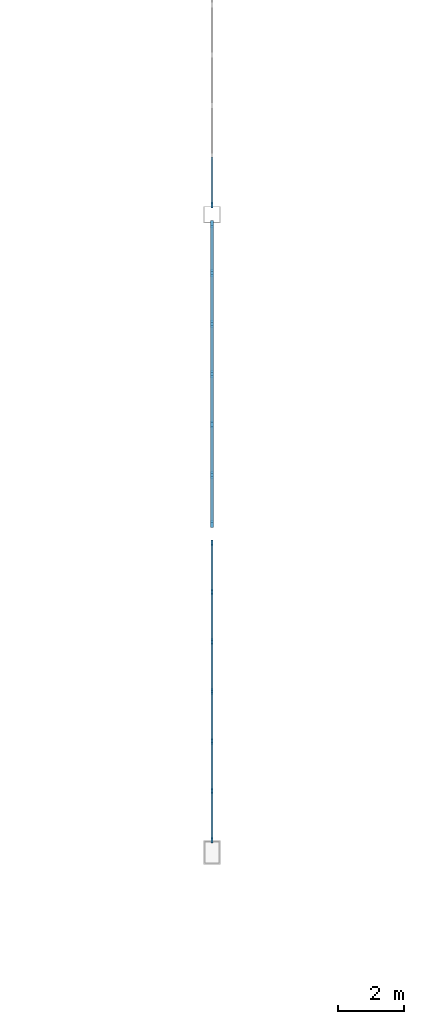
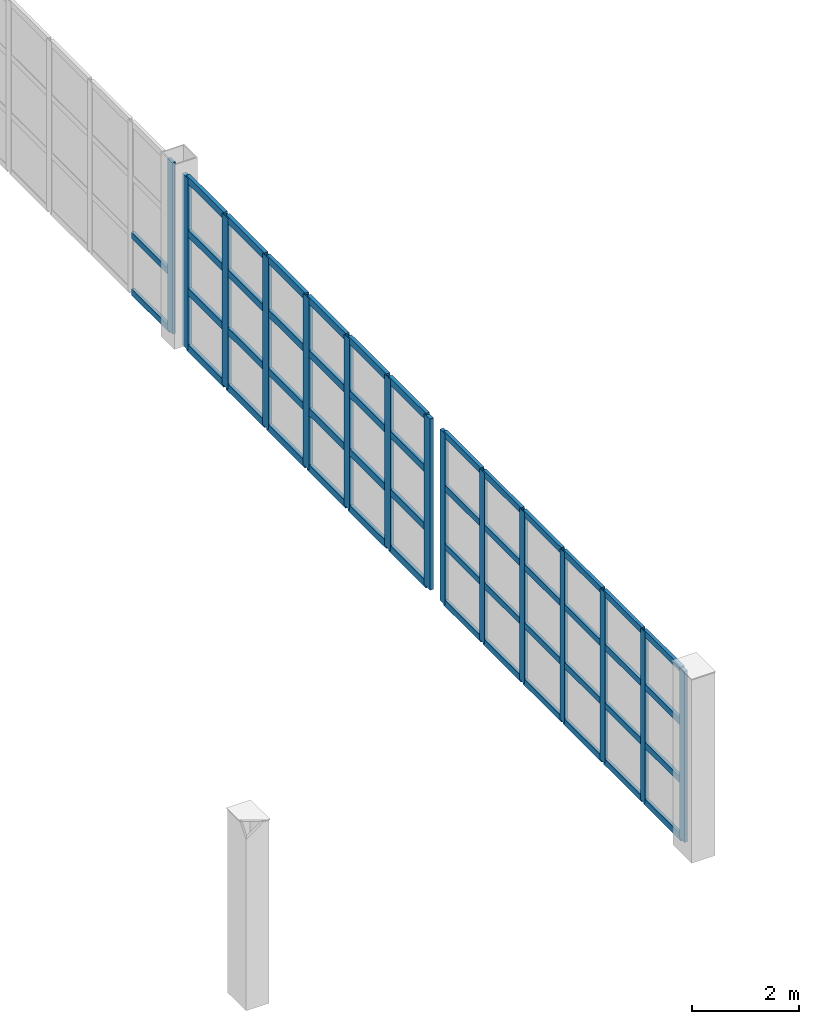
# One storey, part 35 of 82: 65 members, 3 elements without a shape of their own.
"""IFC4 building model written with IfcOpenShell, lengths in metres."""

from ifc_helpers import new_model, si_unit, direction, frame, origin, origin_2d, place, context, subcontext, project, spatial, rectangle, extrude, material, layer, layer_set, material_profile, profile_set, type_object, element, aggregate, save


model = new_model("IFC4")

# Units and contexts
model_context = context("Model", 3, precision=1e-05, world=origin(), true_north=direction((0.0, 1.0)))
body_context = subcontext(model_context, "Body", "Model", "MODEL_VIEW")
ifc_project = project(units=[si_unit("LENGTHUNIT", "METRE"), si_unit("AREAUNIT", "SQUARE_METRE"), si_unit("VOLUMEUNIT", "CUBIC_METRE"), si_unit("PLANEANGLEUNIT", "RADIAN"), si_unit("MASSUNIT", "GRAM", prefix="KILO")], contexts=[model_context])

# Site, building, storey
site_placement = place(None, origin())
site = spatial("IfcSite", under=ifc_project, at=site_placement, CompositionType="ELEMENT")
building_placement = place(site_placement, origin())
building = spatial("IfcBuilding", under=site, at=building_placement, Name="Zarnetskaya Central Station", CompositionType="ELEMENT")
storey_placement = place(building_placement, frame((0.0, 0.0, 10.199951171875)))
storey = spatial("IfcBuildingStorey", under=building, at=storey_placement, Name="L02", CompositionType="ELEMENT", Elevation=10.199951171875)

# Curtain wall, member
ifc_material_1 = material(Name="Low-E insulated glass", Category="glass")
ifc_layer = layer(ifc_material_1, 0.1640625, Name="Low-E insulated glass", Category="glass")
ifc_layer_set = layer_set([ifc_layer], Name="Low-E insulated glass")
curtain_wall_type = type_object("IfcCurtainWallType", Name="CW-SYS-12", PredefinedType="USERDEFINED", material=ifc_layer_set)
curtain_wall_1_placement = place(storey_placement, origin())
curtain_wall_1 = element("IfcCurtainWall", 1, at=curtain_wall_1_placement, inside=storey, type_object=curtain_wall_type, Name="Curtain wall CW-L02-179", ObjectType="CURTAIN WALL", PredefinedType="USERDEFINED")
ifc_material_2 = material(Name="Anodised aluminium", Category="aluminium")
ifc_material_profile_1 = material_profile(ifc_material_2, rectangle(XDim=0.070068359375, YDim=0.179931640625, at=origin_2d()), Name="ALU MULL 70x180")
ifc_profile_set_1 = profile_set([ifc_material_profile_1], Name="Anodised aluminium")
member_type_1 = type_object("IfcMemberType", Name="CW-MULL-180", PredefinedType="MULLION", material=ifc_profile_set_1)
member_1_placement = place(storey_placement, frame((124.800048828125, 86.68505859375, 0.0), z_axis=(0.0, 0.0, 1.0), x_axis=(1.0, 0.0, 0.0)))
member_1 = element("IfcMember", 2, at=member_1_placement, type_object=member_type_1, Name="CW-18 mullion 7", PredefinedType="MULLION", context=body_context, shape_type="SweptSolid", body=[
    extrude(rectangle(XDim=0.070068359375, YDim=0.179931640625, at=origin_2d()), origin(), (0.0, 0.0, 1.0), 3.900146484375),
])

# Curtain wall, members
curtain_wall_2_placement = place(storey_placement, origin())
curtain_wall_2 = element("IfcCurtainWall", 3, at=curtain_wall_2_placement, inside=storey, type_object=curtain_wall_type, Name="Curtain wall CW-L02-181", ObjectType="CURTAIN WALL", PredefinedType="USERDEFINED")
member_2_placement = place(storey_placement, frame((124.800048828125, 76.514892578125, 0.0), z_axis=(0.0, 0.0, 1.0), x_axis=(1.0, 0.0, 0.0)))
member_2 = element("IfcMember", 4, at=member_2_placement, type_object=member_type_1, Name="CW-18 mullion 1", PredefinedType="MULLION", context=body_context, shape_type="SweptSolid", body=[
    extrude(rectangle(XDim=0.070068359375, YDim=0.179931640625, at=origin_2d()), origin(), (0.0, 0.0, 1.0), 3.900146484375),
])
member_3_placement = place(storey_placement, frame((124.800048828125, 75.050048828125, 0.0), z_axis=(0.0, 0.0, 1.0), x_axis=(1.0, 0.0, 0.0)))
member_3 = element("IfcMember", 5, at=member_3_placement, type_object=member_type_1, Name="CW-18 mullion 2", PredefinedType="MULLION", context=body_context, shape_type="SweptSolid", body=[
    extrude(rectangle(XDim=0.070068359375, YDim=0.179931640625, at=origin_2d()), origin(), (0.0, 0.0, 1.0), 3.900146484375),
])
member_4_placement = place(storey_placement, frame((124.800048828125, 73.550048828125, 0.0), z_axis=(0.0, 0.0, 1.0), x_axis=(1.0, 0.0, 0.0)))
member_4 = element("IfcMember", 6, at=member_4_placement, type_object=member_type_1, Name="CW-18 mullion 3", PredefinedType="MULLION", context=body_context, shape_type="SweptSolid", body=[
    extrude(rectangle(XDim=0.070068359375, YDim=0.179931640625, at=origin_2d()), origin(), (0.0, 0.0, 1.0), 3.900146484375),
])
member_5_placement = place(storey_placement, frame((124.800048828125, 72.050048828125, 0.0), z_axis=(0.0, 0.0, 1.0), x_axis=(1.0, 0.0, 0.0)))
member_5 = element("IfcMember", 7, at=member_5_placement, type_object=member_type_1, Name="CW-18 mullion 4", PredefinedType="MULLION", context=body_context, shape_type="SweptSolid", body=[
    extrude(rectangle(XDim=0.070068359375, YDim=0.179931640625, at=origin_2d()), origin(), (0.0, 0.0, 1.0), 3.900146484375),
])
member_6_placement = place(storey_placement, frame((124.800048828125, 70.550048828125, 0.0), z_axis=(0.0, 0.0, 1.0), x_axis=(1.0, 0.0, 0.0)))
member_6 = element("IfcMember", 8, at=member_6_placement, type_object=member_type_1, Name="CW-18 mullion 5", PredefinedType="MULLION", context=body_context, shape_type="SweptSolid", body=[
    extrude(rectangle(XDim=0.070068359375, YDim=0.179931640625, at=origin_2d()), origin(), (0.0, 0.0, 1.0), 3.900146484375),
])
member_7_placement = place(storey_placement, frame((124.800048828125, 69.050048828125, 0.0), z_axis=(0.0, 0.0, 1.0), x_axis=(1.0, 0.0, 0.0)))
member_7 = element("IfcMember", 9, at=member_7_placement, type_object=member_type_1, Name="CW-18 mullion 6", PredefinedType="MULLION", context=body_context, shape_type="SweptSolid", body=[
    extrude(rectangle(XDim=0.070068359375, YDim=0.179931640625, at=origin_2d()), origin(), (0.0, 0.0, 1.0), 3.900146484375),
])
member_8_placement = place(storey_placement, frame((124.800048828125, 67.5849609375, 0.0), z_axis=(0.0, 0.0, 1.0), x_axis=(1.0, 0.0, 0.0)))
member_8 = element("IfcMember", 10, at=member_8_placement, type_object=member_type_1, Name="CW-18 mullion 7", PredefinedType="MULLION", context=body_context, shape_type="SweptSolid", body=[
    extrude(rectangle(XDim=0.070068359375, YDim=0.179931640625, at=origin_2d()), origin(), (0.0, 0.0, 1.0), 3.900146484375),
])

curtain_wall_3_placement = place(storey_placement, origin())
curtain_wall_3 = element("IfcCurtainWall", 11, at=curtain_wall_3_placement, inside=storey, type_object=curtain_wall_type, Name="Curtain wall CW-L02-180", ObjectType="CURTAIN WALL", PredefinedType="USERDEFINED")
ifc_material_profile_2 = material_profile(ifc_material_2, rectangle(XDim=0.080078125, YDim=0.219970703125, at=origin_2d()), Name="ALU MULL 80x220")
ifc_profile_set_2 = profile_set([ifc_material_profile_2], Name="Anodised aluminium")
member_type_2 = type_object("IfcMemberType", Name="CW-MULL-220", PredefinedType="MULLION", material=ifc_profile_set_2)
member_9_placement = place(storey_placement, frame((124.800048828125, 86.110107421875, 0.0), z_axis=(0.0, 0.0, 1.0), x_axis=(1.0, 0.0, 0.0)))
member_9 = element("IfcMember", 12, at=member_9_placement, type_object=member_type_2, Name="CW-18 mullion 1", PredefinedType="MULLION", context=body_context, shape_type="SweptSolid", body=[
    extrude(rectangle(XDim=0.080078125, YDim=0.219970703125, at=origin_2d()), origin(), (0.0, 0.0, 1.0), 3.900146484375),
])
member_10_placement = place(storey_placement, frame((124.800048828125, 84.63330078125, 0.0), z_axis=(0.0, 0.0, 1.0), x_axis=(1.0, 0.0, 0.0)))
member_10 = element("IfcMember", 13, at=member_10_placement, type_object=member_type_2, Name="CW-18 mullion 2", PredefinedType="MULLION", context=body_context, shape_type="SweptSolid", body=[
    extrude(rectangle(XDim=0.080078125, YDim=0.219970703125, at=origin_2d()), origin(), (0.0, 0.0, 1.0), 3.900146484375),
])
member_11_placement = place(storey_placement, frame((124.800048828125, 83.11669921875, 0.0), z_axis=(0.0, 0.0, 1.0), x_axis=(1.0, 0.0, 0.0)))
member_11 = element("IfcMember", 14, at=member_11_placement, type_object=member_type_2, Name="CW-18 mullion 3", PredefinedType="MULLION", context=body_context, shape_type="SweptSolid", body=[
    extrude(rectangle(XDim=0.080078125, YDim=0.219970703125, at=origin_2d()), origin(), (0.0, 0.0, 1.0), 3.900146484375),
])
member_12_placement = place(storey_placement, frame((124.800048828125, 81.60009765625, 0.0), z_axis=(0.0, 0.0, 1.0), x_axis=(1.0, 0.0, 0.0)))
member_12 = element("IfcMember", 15, at=member_12_placement, type_object=member_type_2, Name="CW-18 mullion 4", PredefinedType="MULLION", context=body_context, shape_type="SweptSolid", body=[
    extrude(rectangle(XDim=0.080078125, YDim=0.219970703125, at=origin_2d()), origin(), (0.0, 0.0, 1.0), 3.900146484375),
])
member_13_placement = place(storey_placement, frame((124.800048828125, 80.083251953125, 0.0), z_axis=(0.0, 0.0, 1.0), x_axis=(1.0, 0.0, 0.0)))
member_13 = element("IfcMember", 16, at=member_13_placement, type_object=member_type_2, Name="CW-18 mullion 5", PredefinedType="MULLION", context=body_context, shape_type="SweptSolid", body=[
    extrude(rectangle(XDim=0.080078125, YDim=0.219970703125, at=origin_2d()), origin(), (0.0, 0.0, 1.0), 3.900146484375),
])
member_14_placement = place(storey_placement, frame((124.800048828125, 78.566650390625, 0.0), z_axis=(0.0, 0.0, 1.0), x_axis=(1.0, 0.0, 0.0)))
member_14 = element("IfcMember", 17, at=member_14_placement, type_object=member_type_2, Name="CW-18 mullion 6", PredefinedType="MULLION", context=body_context, shape_type="SweptSolid", body=[
    extrude(rectangle(XDim=0.080078125, YDim=0.219970703125, at=origin_2d()), origin(), (0.0, 0.0, 1.0), 3.900146484375),
])
member_15_placement = place(storey_placement, frame((124.800048828125, 77.090087890625, 0.0), z_axis=(0.0, 0.0, 1.0), x_axis=(1.0, 0.0, 0.0)))
member_15 = element("IfcMember", 18, at=member_15_placement, type_object=member_type_2, Name="CW-18 mullion 7", PredefinedType="MULLION", context=body_context, shape_type="SweptSolid", body=[
    extrude(rectangle(XDim=0.080078125, YDim=0.219970703125, at=origin_2d()), origin(), (0.0, 0.0, 1.0), 3.900146484375),
])

# Member
ifc_material_profile_3 = material_profile(ifc_material_2, rectangle(XDim=0.070068359375, YDim=0.139892578125, at=origin_2d()), Name="ALU TRAN 70x140")
ifc_profile_set_3 = profile_set([ifc_material_profile_3], Name="Anodised aluminium")
member_type_3 = type_object("IfcMemberType", Name="CW-TRAN-140", PredefinedType="USERDEFINED", material=ifc_profile_set_3)
member_16_placement = place(storey_placement, frame((124.800048828125, 88.131591796875, 0.03515625), z_axis=(0.0, -1.0, 0.0), x_axis=(1.0, 0.0, 0.0)))
member_16 = element("IfcMember", 19, at=member_16_placement, type_object=member_type_3, Name="CW-18 transom 6.1", ObjectType="TRANSOM", PredefinedType="USERDEFINED", context=body_context, shape_type="SweptSolid", body=[
    extrude(rectangle(XDim=0.070068359375, YDim=0.139892578125, at=origin_2d()), origin(), (0.0, 0.0, 1.0), 1.41162109375),
])

member_17_placement = place(storey_placement, frame((124.800048828125, 88.131591796875, 1.325927734375), z_axis=(0.0, -1.0, 0.0), x_axis=(1.0, 0.0, 0.0)))
member_17 = element("IfcMember", 20, at=member_17_placement, type_object=member_type_3, Name="CW-18 transom 6.2", ObjectType="TRANSOM", PredefinedType="USERDEFINED", context=body_context, shape_type="SweptSolid", body=[
    extrude(rectangle(XDim=0.070068359375, YDim=0.139892578125, at=origin_2d()), origin(), (0.0, 0.0, 1.0), 1.41162109375),
])

aggregate(curtain_wall_1, [member_1, member_16, member_17])

member_18_placement = place(storey_placement, frame((124.800048828125, 76.47998046875, 0.03515625), z_axis=(0.0, -1.0, 0.0), x_axis=(1.0, 0.0, 0.0)))
member_18 = element("IfcMember", 21, at=member_18_placement, type_object=member_type_3, Name="CW-18 transom 1.1", ObjectType="TRANSOM", PredefinedType="USERDEFINED", context=body_context, shape_type="SweptSolid", body=[
    extrude(rectangle(XDim=0.070068359375, YDim=0.139892578125, at=origin_2d()), origin(), (0.0, 0.0, 1.0), 1.39501953125),
])

member_19_placement = place(storey_placement, frame((124.800048828125, 76.47998046875, 1.325927734375), z_axis=(0.0, -1.0, 0.0), x_axis=(1.0, 0.0, 0.0)))
member_19 = element("IfcMember", 22, at=member_19_placement, type_object=member_type_3, Name="CW-18 transom 1.2", ObjectType="TRANSOM", PredefinedType="USERDEFINED", context=body_context, shape_type="SweptSolid", body=[
    extrude(rectangle(XDim=0.070068359375, YDim=0.139892578125, at=origin_2d()), origin(), (0.0, 0.0, 1.0), 1.39501953125),
])

member_20_placement = place(storey_placement, frame((124.800048828125, 76.47998046875, 2.652099609375), z_axis=(0.0, -1.0, 0.0), x_axis=(1.0, 0.0, 0.0)))
member_20 = element("IfcMember", 23, at=member_20_placement, type_object=member_type_3, Name="CW-18 transom 1.3", ObjectType="TRANSOM", PredefinedType="USERDEFINED", context=body_context, shape_type="SweptSolid", body=[
    extrude(rectangle(XDim=0.070068359375, YDim=0.139892578125, at=origin_2d()), origin(), (0.0, 0.0, 1.0), 1.39501953125),
])

member_21_placement = place(storey_placement, frame((124.800048828125, 76.47998046875, 3.864990234375), z_axis=(0.0, -1.0, 0.0), x_axis=(1.0, 0.0, 0.0)))
member_21 = element("IfcMember", 24, at=member_21_placement, type_object=member_type_3, Name="CW-18 transom 1.4", ObjectType="TRANSOM", PredefinedType="USERDEFINED", context=body_context, shape_type="SweptSolid", body=[
    extrude(rectangle(XDim=0.070068359375, YDim=0.139892578125, at=origin_2d()), origin(), (0.0, 0.0, 1.0), 1.39501953125),
])

member_22_placement = place(storey_placement, frame((124.800048828125, 75.014892578125, 0.03515625), z_axis=(0.0, -1.0, 0.0), x_axis=(1.0, 0.0, 0.0)))
member_22 = element("IfcMember", 25, at=member_22_placement, type_object=member_type_3, Name="CW-18 transom 2.1", ObjectType="TRANSOM", PredefinedType="USERDEFINED", context=body_context, shape_type="SweptSolid", body=[
    extrude(rectangle(XDim=0.070068359375, YDim=0.139892578125, at=origin_2d()), origin(), (0.0, 0.0, 1.0), 1.429931640625),
])

member_23_placement = place(storey_placement, frame((124.800048828125, 75.014892578125, 1.325927734375), z_axis=(0.0, -1.0, 0.0), x_axis=(1.0, 0.0, 0.0)))
member_23 = element("IfcMember", 26, at=member_23_placement, type_object=member_type_3, Name="CW-18 transom 2.2", ObjectType="TRANSOM", PredefinedType="USERDEFINED", context=body_context, shape_type="SweptSolid", body=[
    extrude(rectangle(XDim=0.070068359375, YDim=0.139892578125, at=origin_2d()), origin(), (0.0, 0.0, 1.0), 1.429931640625),
])

member_24_placement = place(storey_placement, frame((124.800048828125, 75.014892578125, 2.652099609375), z_axis=(0.0, -1.0, 0.0), x_axis=(1.0, 0.0, 0.0)))
member_24 = element("IfcMember", 27, at=member_24_placement, type_object=member_type_3, Name="CW-18 transom 2.3", ObjectType="TRANSOM", PredefinedType="USERDEFINED", context=body_context, shape_type="SweptSolid", body=[
    extrude(rectangle(XDim=0.070068359375, YDim=0.139892578125, at=origin_2d()), origin(), (0.0, 0.0, 1.0), 1.429931640625),
])

member_25_placement = place(storey_placement, frame((124.800048828125, 75.014892578125, 3.864990234375), z_axis=(0.0, -1.0, 0.0), x_axis=(1.0, 0.0, 0.0)))
member_25 = element("IfcMember", 28, at=member_25_placement, type_object=member_type_3, Name="CW-18 transom 2.4", ObjectType="TRANSOM", PredefinedType="USERDEFINED", context=body_context, shape_type="SweptSolid", body=[
    extrude(rectangle(XDim=0.070068359375, YDim=0.139892578125, at=origin_2d()), origin(), (0.0, 0.0, 1.0), 1.429931640625),
])

member_26_placement = place(storey_placement, frame((124.800048828125, 73.514892578125, 0.03515625), z_axis=(0.0, -1.0, 0.0), x_axis=(1.0, 0.0, 0.0)))
member_26 = element("IfcMember", 29, at=member_26_placement, type_object=member_type_3, Name="CW-18 transom 3.1", ObjectType="TRANSOM", PredefinedType="USERDEFINED", context=body_context, shape_type="SweptSolid", body=[
    extrude(rectangle(XDim=0.070068359375, YDim=0.139892578125, at=origin_2d()), origin(), (0.0, 0.0, 1.0), 1.429931640625),
])

member_27_placement = place(storey_placement, frame((124.800048828125, 73.514892578125, 1.325927734375), z_axis=(0.0, -1.0, 0.0), x_axis=(1.0, 0.0, 0.0)))
member_27 = element("IfcMember", 30, at=member_27_placement, type_object=member_type_3, Name="CW-18 transom 3.2", ObjectType="TRANSOM", PredefinedType="USERDEFINED", context=body_context, shape_type="SweptSolid", body=[
    extrude(rectangle(XDim=0.070068359375, YDim=0.139892578125, at=origin_2d()), origin(), (0.0, 0.0, 1.0), 1.429931640625),
])

member_28_placement = place(storey_placement, frame((124.800048828125, 73.514892578125, 2.652099609375), z_axis=(0.0, -1.0, 0.0), x_axis=(1.0, 0.0, 0.0)))
member_28 = element("IfcMember", 31, at=member_28_placement, type_object=member_type_3, Name="CW-18 transom 3.3", ObjectType="TRANSOM", PredefinedType="USERDEFINED", context=body_context, shape_type="SweptSolid", body=[
    extrude(rectangle(XDim=0.070068359375, YDim=0.139892578125, at=origin_2d()), origin(), (0.0, 0.0, 1.0), 1.429931640625),
])

member_29_placement = place(storey_placement, frame((124.800048828125, 73.514892578125, 3.864990234375), z_axis=(0.0, -1.0, 0.0), x_axis=(1.0, 0.0, 0.0)))
member_29 = element("IfcMember", 32, at=member_29_placement, type_object=member_type_3, Name="CW-18 transom 3.4", ObjectType="TRANSOM", PredefinedType="USERDEFINED", context=body_context, shape_type="SweptSolid", body=[
    extrude(rectangle(XDim=0.070068359375, YDim=0.139892578125, at=origin_2d()), origin(), (0.0, 0.0, 1.0), 1.429931640625),
])

member_30_placement = place(storey_placement, frame((124.800048828125, 72.014892578125, 0.03515625), z_axis=(0.0, -1.0, 0.0), x_axis=(1.0, 0.0, 0.0)))
member_30 = element("IfcMember", 33, at=member_30_placement, type_object=member_type_3, Name="CW-18 transom 4.1", ObjectType="TRANSOM", PredefinedType="USERDEFINED", context=body_context, shape_type="SweptSolid", body=[
    extrude(rectangle(XDim=0.070068359375, YDim=0.139892578125, at=origin_2d()), origin(), (0.0, 0.0, 1.0), 1.429931640625),
])

member_31_placement = place(storey_placement, frame((124.800048828125, 72.014892578125, 1.325927734375), z_axis=(0.0, -1.0, 0.0), x_axis=(1.0, 0.0, 0.0)))
member_31 = element("IfcMember", 34, at=member_31_placement, type_object=member_type_3, Name="CW-18 transom 4.2", ObjectType="TRANSOM", PredefinedType="USERDEFINED", context=body_context, shape_type="SweptSolid", body=[
    extrude(rectangle(XDim=0.070068359375, YDim=0.139892578125, at=origin_2d()), origin(), (0.0, 0.0, 1.0), 1.429931640625),
])

member_32_placement = place(storey_placement, frame((124.800048828125, 72.014892578125, 2.652099609375), z_axis=(0.0, -1.0, 0.0), x_axis=(1.0, 0.0, 0.0)))
member_32 = element("IfcMember", 35, at=member_32_placement, type_object=member_type_3, Name="CW-18 transom 4.3", ObjectType="TRANSOM", PredefinedType="USERDEFINED", context=body_context, shape_type="SweptSolid", body=[
    extrude(rectangle(XDim=0.070068359375, YDim=0.139892578125, at=origin_2d()), origin(), (0.0, 0.0, 1.0), 1.429931640625),
])

member_33_placement = place(storey_placement, frame((124.800048828125, 72.014892578125, 3.864990234375), z_axis=(0.0, -1.0, 0.0), x_axis=(1.0, 0.0, 0.0)))
member_33 = element("IfcMember", 36, at=member_33_placement, type_object=member_type_3, Name="CW-18 transom 4.4", ObjectType="TRANSOM", PredefinedType="USERDEFINED", context=body_context, shape_type="SweptSolid", body=[
    extrude(rectangle(XDim=0.070068359375, YDim=0.139892578125, at=origin_2d()), origin(), (0.0, 0.0, 1.0), 1.429931640625),
])

member_34_placement = place(storey_placement, frame((124.800048828125, 70.514892578125, 0.03515625), z_axis=(0.0, -1.0, 0.0), x_axis=(1.0, 0.0, 0.0)))
member_34 = element("IfcMember", 37, at=member_34_placement, type_object=member_type_3, Name="CW-18 transom 5.1", ObjectType="TRANSOM", PredefinedType="USERDEFINED", context=body_context, shape_type="SweptSolid", body=[
    extrude(rectangle(XDim=0.070068359375, YDim=0.139892578125, at=origin_2d()), origin(), (0.0, 0.0, 1.0), 1.429931640625),
])

member_35_placement = place(storey_placement, frame((124.800048828125, 70.514892578125, 1.325927734375), z_axis=(0.0, -1.0, 0.0), x_axis=(1.0, 0.0, 0.0)))
member_35 = element("IfcMember", 38, at=member_35_placement, type_object=member_type_3, Name="CW-18 transom 5.2", ObjectType="TRANSOM", PredefinedType="USERDEFINED", context=body_context, shape_type="SweptSolid", body=[
    extrude(rectangle(XDim=0.070068359375, YDim=0.139892578125, at=origin_2d()), origin(), (0.0, 0.0, 1.0), 1.429931640625),
])

member_36_placement = place(storey_placement, frame((124.800048828125, 70.514892578125, 2.652099609375), z_axis=(0.0, -1.0, 0.0), x_axis=(1.0, 0.0, 0.0)))
member_36 = element("IfcMember", 39, at=member_36_placement, type_object=member_type_3, Name="CW-18 transom 5.3", ObjectType="TRANSOM", PredefinedType="USERDEFINED", context=body_context, shape_type="SweptSolid", body=[
    extrude(rectangle(XDim=0.070068359375, YDim=0.139892578125, at=origin_2d()), origin(), (0.0, 0.0, 1.0), 1.429931640625),
])

member_37_placement = place(storey_placement, frame((124.800048828125, 70.514892578125, 3.864990234375), z_axis=(0.0, -1.0, 0.0), x_axis=(1.0, 0.0, 0.0)))
member_37 = element("IfcMember", 40, at=member_37_placement, type_object=member_type_3, Name="CW-18 transom 5.4", ObjectType="TRANSOM", PredefinedType="USERDEFINED", context=body_context, shape_type="SweptSolid", body=[
    extrude(rectangle(XDim=0.070068359375, YDim=0.139892578125, at=origin_2d()), origin(), (0.0, 0.0, 1.0), 1.429931640625),
])

member_38_placement = place(storey_placement, frame((124.800048828125, 69.014892578125, 0.03515625), z_axis=(0.0, -1.0, 0.0), x_axis=(1.0, 0.0, 0.0)))
member_38 = element("IfcMember", 41, at=member_38_placement, type_object=member_type_3, Name="CW-18 transom 6.1", ObjectType="TRANSOM", PredefinedType="USERDEFINED", context=body_context, shape_type="SweptSolid", body=[
    extrude(rectangle(XDim=0.070068359375, YDim=0.139892578125, at=origin_2d()), origin(), (0.0, 0.0, 1.0), 1.394775390625),
])

member_39_placement = place(storey_placement, frame((124.800048828125, 69.014892578125, 1.325927734375), z_axis=(0.0, -1.0, 0.0), x_axis=(1.0, 0.0, 0.0)))
member_39 = element("IfcMember", 42, at=member_39_placement, type_object=member_type_3, Name="CW-18 transom 6.2", ObjectType="TRANSOM", PredefinedType="USERDEFINED", context=body_context, shape_type="SweptSolid", body=[
    extrude(rectangle(XDim=0.070068359375, YDim=0.139892578125, at=origin_2d()), origin(), (0.0, 0.0, 1.0), 1.394775390625),
])

member_40_placement = place(storey_placement, frame((124.800048828125, 69.014892578125, 2.652099609375), z_axis=(0.0, -1.0, 0.0), x_axis=(1.0, 0.0, 0.0)))
member_40 = element("IfcMember", 43, at=member_40_placement, type_object=member_type_3, Name="CW-18 transom 6.3", ObjectType="TRANSOM", PredefinedType="USERDEFINED", context=body_context, shape_type="SweptSolid", body=[
    extrude(rectangle(XDim=0.070068359375, YDim=0.139892578125, at=origin_2d()), origin(), (0.0, 0.0, 1.0), 1.394775390625),
])

member_41_placement = place(storey_placement, frame((124.800048828125, 69.014892578125, 3.864990234375), z_axis=(0.0, -1.0, 0.0), x_axis=(1.0, 0.0, 0.0)))
member_41 = element("IfcMember", 44, at=member_41_placement, type_object=member_type_3, Name="CW-18 transom 6.4", ObjectType="TRANSOM", PredefinedType="USERDEFINED", context=body_context, shape_type="SweptSolid", body=[
    extrude(rectangle(XDim=0.070068359375, YDim=0.139892578125, at=origin_2d()), origin(), (0.0, 0.0, 1.0), 1.394775390625),
])

aggregate(curtain_wall_2, [member_2, member_3, member_4, member_5, member_6, member_7, member_8, member_18, member_19, member_20, member_21, member_22, member_23, member_24, member_25, member_26, member_27, member_28, member_29, member_30, member_31, member_32, member_33, member_34, member_35, member_36, member_37, member_38, member_39, member_40, member_41])

ifc_material_profile_4 = material_profile(ifc_material_2, rectangle(XDim=0.080078125, YDim=0.159912109375, at=origin_2d()), Name="ALU TRAN 80x160")
ifc_profile_set_4 = profile_set([ifc_material_profile_4], Name="Anodised aluminium")
member_type_4 = type_object("IfcMemberType", Name="CW-TRAN-160", PredefinedType="USERDEFINED", material=ifc_profile_set_4)
member_42_placement = place(storey_placement, frame((124.800048828125, 86.070068359375, 0.0400390625), z_axis=(0.0, -1.0, 0.0), x_axis=(1.0, 0.0, 0.0)))
member_42 = element("IfcMember", 45, at=member_42_placement, type_object=member_type_4, Name="CW-18 transom 1.1", ObjectType="TRANSOM", PredefinedType="USERDEFINED", context=body_context, shape_type="SweptSolid", body=[
    extrude(rectangle(XDim=0.080078125, YDim=0.159912109375, at=origin_2d()), origin(), (0.0, 0.0, 1.0), 1.396728515625),
])

member_43_placement = place(storey_placement, frame((124.800048828125, 86.070068359375, 1.325927734375), z_axis=(0.0, -1.0, 0.0), x_axis=(1.0, 0.0, 0.0)))
member_43 = element("IfcMember", 46, at=member_43_placement, type_object=member_type_4, Name="CW-18 transom 1.2", ObjectType="TRANSOM", PredefinedType="USERDEFINED", context=body_context, shape_type="SweptSolid", body=[
    extrude(rectangle(XDim=0.080078125, YDim=0.159912109375, at=origin_2d()), origin(), (0.0, 0.0, 1.0), 1.396728515625),
])

member_44_placement = place(storey_placement, frame((124.800048828125, 86.070068359375, 2.652099609375), z_axis=(0.0, -1.0, 0.0), x_axis=(1.0, 0.0, 0.0)))
member_44 = element("IfcMember", 47, at=member_44_placement, type_object=member_type_4, Name="CW-18 transom 1.3", ObjectType="TRANSOM", PredefinedType="USERDEFINED", context=body_context, shape_type="SweptSolid", body=[
    extrude(rectangle(XDim=0.080078125, YDim=0.159912109375, at=origin_2d()), origin(), (0.0, 0.0, 1.0), 1.396728515625),
])

member_45_placement = place(storey_placement, frame((124.800048828125, 86.070068359375, 3.860107421875), z_axis=(0.0, -1.0, 0.0), x_axis=(1.0, 0.0, 0.0)))
member_45 = element("IfcMember", 48, at=member_45_placement, type_object=member_type_4, Name="CW-18 transom 1.4", ObjectType="TRANSOM", PredefinedType="USERDEFINED", context=body_context, shape_type="SweptSolid", body=[
    extrude(rectangle(XDim=0.080078125, YDim=0.159912109375, at=origin_2d()), origin(), (0.0, 0.0, 1.0), 1.396728515625),
])

member_46_placement = place(storey_placement, frame((124.800048828125, 84.59326171875, 0.0400390625), z_axis=(0.0, -1.0, 0.0), x_axis=(1.0, 0.0, 0.0)))
member_46 = element("IfcMember", 49, at=member_46_placement, type_object=member_type_4, Name="CW-18 transom 2.1", ObjectType="TRANSOM", PredefinedType="USERDEFINED", context=body_context, shape_type="SweptSolid", body=[
    extrude(rectangle(XDim=0.080078125, YDim=0.159912109375, at=origin_2d()), origin(), (0.0, 0.0, 1.0), 1.4365234375),
])

member_47_placement = place(storey_placement, frame((124.800048828125, 84.59326171875, 1.325927734375), z_axis=(0.0, -1.0, 0.0), x_axis=(1.0, 0.0, 0.0)))
member_47 = element("IfcMember", 50, at=member_47_placement, type_object=member_type_4, Name="CW-18 transom 2.2", ObjectType="TRANSOM", PredefinedType="USERDEFINED", context=body_context, shape_type="SweptSolid", body=[
    extrude(rectangle(XDim=0.080078125, YDim=0.159912109375, at=origin_2d()), origin(), (0.0, 0.0, 1.0), 1.4365234375),
])

member_48_placement = place(storey_placement, frame((124.800048828125, 84.59326171875, 2.652099609375), z_axis=(0.0, -1.0, 0.0), x_axis=(1.0, 0.0, 0.0)))
member_48 = element("IfcMember", 51, at=member_48_placement, type_object=member_type_4, Name="CW-18 transom 2.3", ObjectType="TRANSOM", PredefinedType="USERDEFINED", context=body_context, shape_type="SweptSolid", body=[
    extrude(rectangle(XDim=0.080078125, YDim=0.159912109375, at=origin_2d()), origin(), (0.0, 0.0, 1.0), 1.4365234375),
])

member_49_placement = place(storey_placement, frame((124.800048828125, 84.59326171875, 3.860107421875), z_axis=(0.0, -1.0, 0.0), x_axis=(1.0, 0.0, 0.0)))
member_49 = element("IfcMember", 52, at=member_49_placement, type_object=member_type_4, Name="CW-18 transom 2.4", ObjectType="TRANSOM", PredefinedType="USERDEFINED", context=body_context, shape_type="SweptSolid", body=[
    extrude(rectangle(XDim=0.080078125, YDim=0.159912109375, at=origin_2d()), origin(), (0.0, 0.0, 1.0), 1.4365234375),
])

member_50_placement = place(storey_placement, frame((124.800048828125, 83.07666015625, 0.0400390625), z_axis=(0.0, -1.0, 0.0), x_axis=(1.0, 0.0, 0.0)))
member_50 = element("IfcMember", 53, at=member_50_placement, type_object=member_type_4, Name="CW-18 transom 3.1", ObjectType="TRANSOM", PredefinedType="USERDEFINED", context=body_context, shape_type="SweptSolid", body=[
    extrude(rectangle(XDim=0.080078125, YDim=0.159912109375, at=origin_2d()), origin(), (0.0, 0.0, 1.0), 1.436767578125),
])

member_51_placement = place(storey_placement, frame((124.800048828125, 83.07666015625, 1.325927734375), z_axis=(0.0, -1.0, 0.0), x_axis=(1.0, 0.0, 0.0)))
member_51 = element("IfcMember", 54, at=member_51_placement, type_object=member_type_4, Name="CW-18 transom 3.2", ObjectType="TRANSOM", PredefinedType="USERDEFINED", context=body_context, shape_type="SweptSolid", body=[
    extrude(rectangle(XDim=0.080078125, YDim=0.159912109375, at=origin_2d()), origin(), (0.0, 0.0, 1.0), 1.436767578125),
])

member_52_placement = place(storey_placement, frame((124.800048828125, 83.07666015625, 2.652099609375), z_axis=(0.0, -1.0, 0.0), x_axis=(1.0, 0.0, 0.0)))
member_52 = element("IfcMember", 55, at=member_52_placement, type_object=member_type_4, Name="CW-18 transom 3.3", ObjectType="TRANSOM", PredefinedType="USERDEFINED", context=body_context, shape_type="SweptSolid", body=[
    extrude(rectangle(XDim=0.080078125, YDim=0.159912109375, at=origin_2d()), origin(), (0.0, 0.0, 1.0), 1.436767578125),
])

member_53_placement = place(storey_placement, frame((124.800048828125, 83.07666015625, 3.860107421875), z_axis=(0.0, -1.0, 0.0), x_axis=(1.0, 0.0, 0.0)))
member_53 = element("IfcMember", 56, at=member_53_placement, type_object=member_type_4, Name="CW-18 transom 3.4", ObjectType="TRANSOM", PredefinedType="USERDEFINED", context=body_context, shape_type="SweptSolid", body=[
    extrude(rectangle(XDim=0.080078125, YDim=0.159912109375, at=origin_2d()), origin(), (0.0, 0.0, 1.0), 1.436767578125),
])

member_54_placement = place(storey_placement, frame((124.800048828125, 81.56005859375, 0.0400390625), z_axis=(0.0, -1.0, 0.0), x_axis=(1.0, 0.0, 0.0)))
member_54 = element("IfcMember", 57, at=member_54_placement, type_object=member_type_4, Name="CW-18 transom 4.1", ObjectType="TRANSOM", PredefinedType="USERDEFINED", context=body_context, shape_type="SweptSolid", body=[
    extrude(rectangle(XDim=0.080078125, YDim=0.159912109375, at=origin_2d()), origin(), (0.0, 0.0, 1.0), 1.436767578125),
])

member_55_placement = place(storey_placement, frame((124.800048828125, 81.56005859375, 1.325927734375), z_axis=(0.0, -1.0, 0.0), x_axis=(1.0, 0.0, 0.0)))
member_55 = element("IfcMember", 58, at=member_55_placement, type_object=member_type_4, Name="CW-18 transom 4.2", ObjectType="TRANSOM", PredefinedType="USERDEFINED", context=body_context, shape_type="SweptSolid", body=[
    extrude(rectangle(XDim=0.080078125, YDim=0.159912109375, at=origin_2d()), origin(), (0.0, 0.0, 1.0), 1.436767578125),
])

member_56_placement = place(storey_placement, frame((124.800048828125, 81.56005859375, 2.652099609375), z_axis=(0.0, -1.0, 0.0), x_axis=(1.0, 0.0, 0.0)))
member_56 = element("IfcMember", 59, at=member_56_placement, type_object=member_type_4, Name="CW-18 transom 4.3", ObjectType="TRANSOM", PredefinedType="USERDEFINED", context=body_context, shape_type="SweptSolid", body=[
    extrude(rectangle(XDim=0.080078125, YDim=0.159912109375, at=origin_2d()), origin(), (0.0, 0.0, 1.0), 1.436767578125),
])

member_57_placement = place(storey_placement, frame((124.800048828125, 81.56005859375, 3.860107421875), z_axis=(0.0, -1.0, 0.0), x_axis=(1.0, 0.0, 0.0)))
member_57 = element("IfcMember", 60, at=member_57_placement, type_object=member_type_4, Name="CW-18 transom 4.4", ObjectType="TRANSOM", PredefinedType="USERDEFINED", context=body_context, shape_type="SweptSolid", body=[
    extrude(rectangle(XDim=0.080078125, YDim=0.159912109375, at=origin_2d()), origin(), (0.0, 0.0, 1.0), 1.436767578125),
])

member_58_placement = place(storey_placement, frame((124.800048828125, 80.043212890625, 0.0400390625), z_axis=(0.0, -1.0, 0.0), x_axis=(1.0, 0.0, 0.0)))
member_58 = element("IfcMember", 61, at=member_58_placement, type_object=member_type_4, Name="CW-18 transom 5.1", ObjectType="TRANSOM", PredefinedType="USERDEFINED", context=body_context, shape_type="SweptSolid", body=[
    extrude(rectangle(XDim=0.080078125, YDim=0.159912109375, at=origin_2d()), origin(), (0.0, 0.0, 1.0), 1.4365234375),
])

member_59_placement = place(storey_placement, frame((124.800048828125, 80.043212890625, 1.325927734375), z_axis=(0.0, -1.0, 0.0), x_axis=(1.0, 0.0, 0.0)))
member_59 = element("IfcMember", 62, at=member_59_placement, type_object=member_type_4, Name="CW-18 transom 5.2", ObjectType="TRANSOM", PredefinedType="USERDEFINED", context=body_context, shape_type="SweptSolid", body=[
    extrude(rectangle(XDim=0.080078125, YDim=0.159912109375, at=origin_2d()), origin(), (0.0, 0.0, 1.0), 1.4365234375),
])

member_60_placement = place(storey_placement, frame((124.800048828125, 80.043212890625, 2.652099609375), z_axis=(0.0, -1.0, 0.0), x_axis=(1.0, 0.0, 0.0)))
member_60 = element("IfcMember", 63, at=member_60_placement, type_object=member_type_4, Name="CW-18 transom 5.3", ObjectType="TRANSOM", PredefinedType="USERDEFINED", context=body_context, shape_type="SweptSolid", body=[
    extrude(rectangle(XDim=0.080078125, YDim=0.159912109375, at=origin_2d()), origin(), (0.0, 0.0, 1.0), 1.4365234375),
])

member_61_placement = place(storey_placement, frame((124.800048828125, 80.043212890625, 3.860107421875), z_axis=(0.0, -1.0, 0.0), x_axis=(1.0, 0.0, 0.0)))
member_61 = element("IfcMember", 64, at=member_61_placement, type_object=member_type_4, Name="CW-18 transom 5.4", ObjectType="TRANSOM", PredefinedType="USERDEFINED", context=body_context, shape_type="SweptSolid", body=[
    extrude(rectangle(XDim=0.080078125, YDim=0.159912109375, at=origin_2d()), origin(), (0.0, 0.0, 1.0), 1.4365234375),
])

member_62_placement = place(storey_placement, frame((124.800048828125, 78.526611328125, 0.0400390625), z_axis=(0.0, -1.0, 0.0), x_axis=(1.0, 0.0, 0.0)))
member_62 = element("IfcMember", 65, at=member_62_placement, type_object=member_type_4, Name="CW-18 transom 6.1", ObjectType="TRANSOM", PredefinedType="USERDEFINED", context=body_context, shape_type="SweptSolid", body=[
    extrude(rectangle(XDim=0.080078125, YDim=0.159912109375, at=origin_2d()), origin(), (0.0, 0.0, 1.0), 1.396728515625),
])

member_63_placement = place(storey_placement, frame((124.800048828125, 78.526611328125, 1.325927734375), z_axis=(0.0, -1.0, 0.0), x_axis=(1.0, 0.0, 0.0)))
member_63 = element("IfcMember", 66, at=member_63_placement, type_object=member_type_4, Name="CW-18 transom 6.2", ObjectType="TRANSOM", PredefinedType="USERDEFINED", context=body_context, shape_type="SweptSolid", body=[
    extrude(rectangle(XDim=0.080078125, YDim=0.159912109375, at=origin_2d()), origin(), (0.0, 0.0, 1.0), 1.396728515625),
])

member_64_placement = place(storey_placement, frame((124.800048828125, 78.526611328125, 2.652099609375), z_axis=(0.0, -1.0, 0.0), x_axis=(1.0, 0.0, 0.0)))
member_64 = element("IfcMember", 67, at=member_64_placement, type_object=member_type_4, Name="CW-18 transom 6.3", ObjectType="TRANSOM", PredefinedType="USERDEFINED", context=body_context, shape_type="SweptSolid", body=[
    extrude(rectangle(XDim=0.080078125, YDim=0.159912109375, at=origin_2d()), origin(), (0.0, 0.0, 1.0), 1.396728515625),
])

member_65_placement = place(storey_placement, frame((124.800048828125, 78.526611328125, 3.860107421875), z_axis=(0.0, -1.0, 0.0), x_axis=(1.0, 0.0, 0.0)))
member_65 = element("IfcMember", 68, at=member_65_placement, type_object=member_type_4, Name="CW-18 transom 6.4", ObjectType="TRANSOM", PredefinedType="USERDEFINED", context=body_context, shape_type="SweptSolid", body=[
    extrude(rectangle(XDim=0.080078125, YDim=0.159912109375, at=origin_2d()), origin(), (0.0, 0.0, 1.0), 1.396728515625),
])

aggregate(curtain_wall_3, [member_9, member_10, member_11, member_12, member_13, member_14, member_15, member_42, member_43, member_44, member_45, member_46, member_47, member_48, member_49, member_50, member_51, member_52, member_53, member_54, member_55, member_56, member_57, member_58, member_59, member_60, member_61, member_62, member_63, member_64, member_65])

save(model, "model.ifc")
